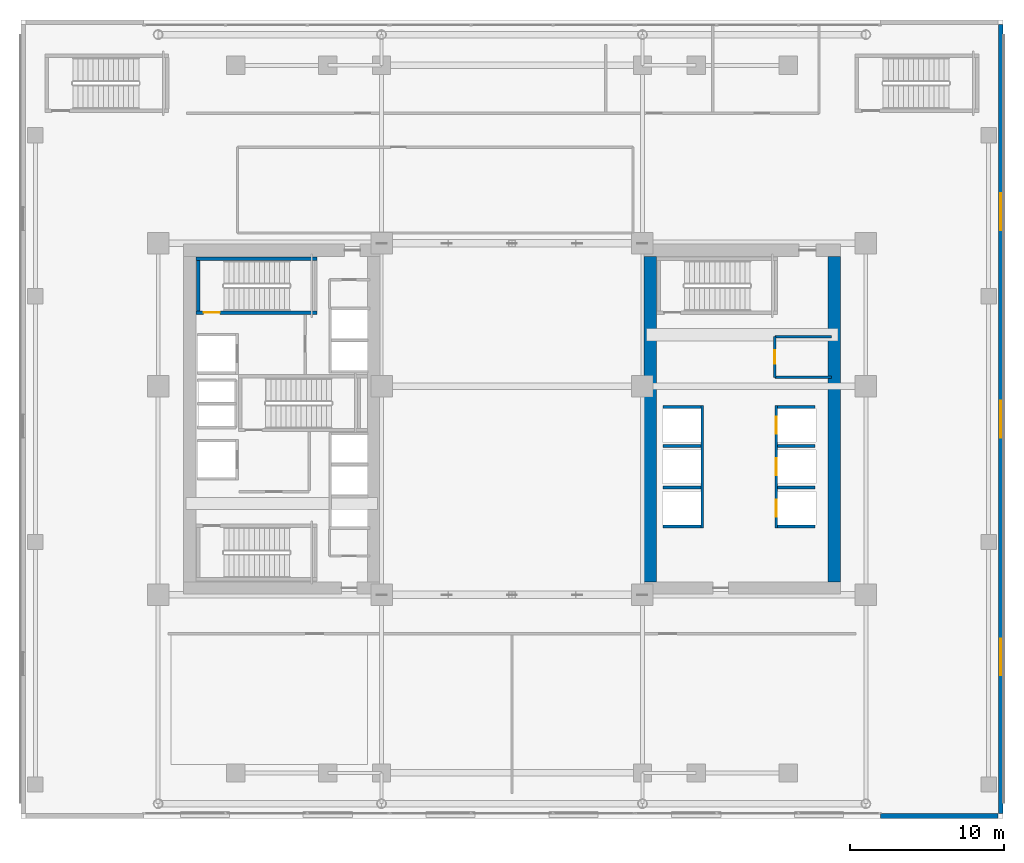
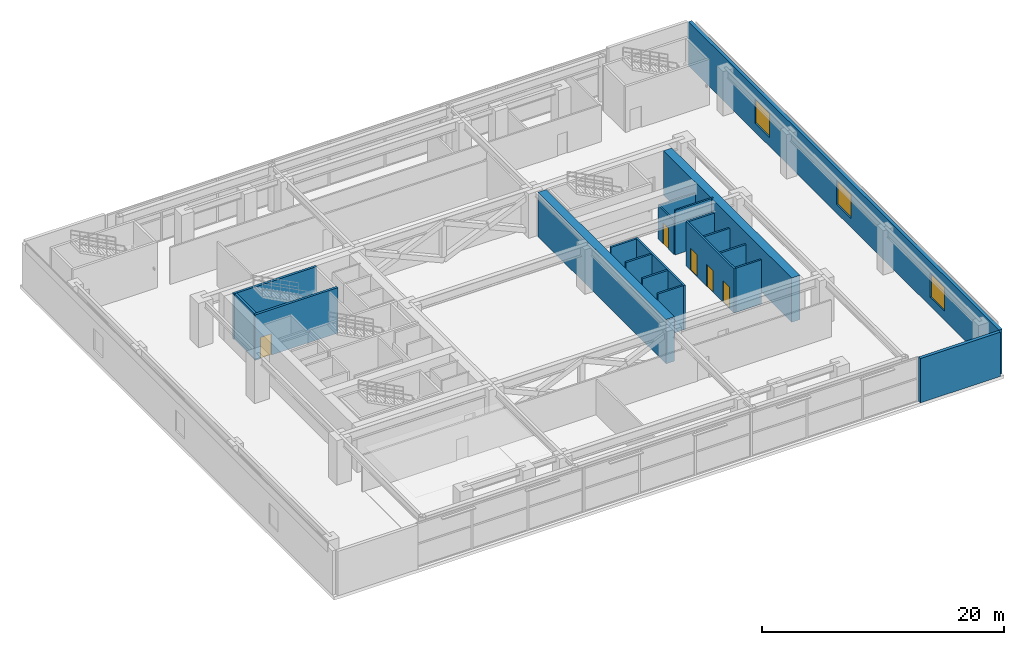
# One storey, part 20 of 28: 20 walls, 5 doors, 3 windows, 8 openings.
"""IFC4 building model written with IfcOpenShell, lengths in metres."""

from ifc_helpers import new_model, si_unit, direction, frame, frame_2d, origin, place, context, subcontext, project, spatial, rectangle, extrude, source, transform, mapped, material, layer, layer_set, type_object, element, fill, save


model = new_model("IFC4")

# Units and contexts
model_context = context("Model", 3, precision=1e-05, world=origin(), true_north=direction((0.0, 1.0)))
body_context = subcontext(model_context, "Body", "Model", "MODEL_VIEW")
ifc_project = project(units=[si_unit("LENGTHUNIT", "METRE"), si_unit("AREAUNIT", "SQUARE_METRE"), si_unit("VOLUMEUNIT", "CUBIC_METRE"), si_unit("PLANEANGLEUNIT", "RADIAN"), si_unit("MASSUNIT", "GRAM", prefix="KILO")], contexts=[model_context])

# Site, building, storey
site_placement = place(None, origin())
site = spatial("IfcSite", under=ifc_project, at=site_placement, CompositionType="ELEMENT")
building_placement = place(site_placement, origin())
building = spatial("IfcBuilding", under=site, at=building_placement, Name="Ocotamira Hotel", CompositionType="ELEMENT")
storey_placement = place(building_placement, frame((0.0, 0.0, 24.0)))
storey = spatial("IfcBuildingStorey", under=building, at=storey_placement, Name="L05", CompositionType="ELEMENT", Elevation=24.0)

# Walls
ifc_material_1 = material(Name="Concrete C60/75", Category="concrete")
ifc_layer_1 = layer(ifc_material_1, 0.800048828125)
ifc_layer_set_1 = layer_set([ifc_layer_1], Name="Concrete C60/75")
wall_type_1 = type_object("IfcWallType", Name="WL-CORE-800", PredefinedType="SHEAR", material=ifc_layer_set_1)
for number, where, z_axis, x_axis, name in (
    (1, (41.0, 15.39990234375, 0.0), (0.0, 0.0, 1.0), (0.0, 1.0, 0.0), "L05 Shear Core Wall ECORE-W"),
    (2, (53.0, 15.39990234375, 0.0), (0.0, 0.0, 1.0), (0.0, 1.0, 0.0), "L05 Shear Core Wall ECORE-E"),
):
    element("IfcWall", number, at=place(storey_placement, frame(where, z_axis=z_axis, x_axis=x_axis)), inside=storey, type_object=wall_type_1, Name=name, PredefinedType="SHEAR", context=body_context, shape_type="SweptSolid", body=[
        extrude(rectangle(XDim=21.2001953125, YDim=0.800048828125, at=frame_2d((10.60009765625, 0.0))), origin(), (0.0, 0.0, 1.0), 4.47998046875),
    ])

# Wall, openings, windows
ifc_material_2 = material(Name="Travertine-clad precast concrete C45/55", Category="masonry")
ifc_layer_2 = layer(ifc_material_2, 0.300048828125)
ifc_layer_set_2 = layer_set([ifc_layer_2], Name="Travertine-clad precast concrete C45/55")
wall_type_2 = type_object("IfcWallType", Name="WL-EXT-POD-300", PredefinedType="SOLIDWALL", material=ifc_layer_set_2)
wall_1_placement = place(storey_placement, frame((63.85009765625, 51.699951171875, 0.0), z_axis=(0.0, 0.0, 1.0), x_axis=(0.0, -1.0, 0.0)))
wall_1 = element("IfcWall", 3, at=wall_1_placement, inside=storey, type_object=wall_type_2, Name="L05 East Podium Travertine Wall", PredefinedType="SOLIDWALL", context=body_context, shape_type="SweptSolid", body=[
    extrude(rectangle(XDim=51.39990234375, YDim=0.300048828125, at=frame_2d((25.699951171875, 0.0))), origin(), (0.0, 0.0, 1.0), 4.47998046875),
])
opening_1_placement = place(wall_1_placement, frame((40.0, 0.0, 0.89990234375)))
opening_1 = element("IfcOpeningElement", 4, at=opening_1_placement, cuts=wall_1, Name="Opening WN-1", PredefinedType="OPENING", context=body_context, shape_type="SweptSolid", body=[
    extrude(rectangle(XDim=2.39990234375, YDim=2.39990234375, at=frame_2d((1.199951171875, 1.199951171875))), frame((0.0, 0.16015625, 0.0), z_axis=(0.0, -1.0, 0.0), x_axis=(1.0, 0.0, 0.0)), (0.0, 0.0, 1.0), 0.320068359375),
])
opening_2_placement = place(wall_1_placement, frame((24.5, 0.0, 0.89990234375)))
opening_2 = element("IfcOpeningElement", 5, at=opening_2_placement, cuts=wall_1, Name="Opening WN-1", PredefinedType="OPENING", context=body_context, shape_type="SweptSolid", body=[
    extrude(rectangle(XDim=2.39990234375, YDim=2.39990234375, at=frame_2d((1.199951171875, 1.199951171875))), frame((0.0, 0.16015625, 0.0), z_axis=(0.0, -1.0, 0.0), x_axis=(1.0, 0.0, 0.0)), (0.0, 0.0, 1.0), 0.320068359375),
])
opening_3_placement = place(wall_1_placement, frame((11.0, 0.0, 0.89990234375)))
opening_3 = element("IfcOpeningElement", 6, at=opening_3_placement, cuts=wall_1, Name="Opening WN-1", PredefinedType="OPENING", context=body_context, shape_type="SweptSolid", body=[
    extrude(rectangle(XDim=2.39990234375, YDim=2.39990234375, at=frame_2d((1.199951171875, 1.199951171875))), frame((0.0, 0.16015625, 0.0), z_axis=(0.0, -1.0, 0.0), x_axis=(1.0, 0.0, 0.0)), (0.0, 0.0, 1.0), 0.320068359375),
])
ifc_material_3 = material(Name="Double-silver low-E solar glass", Category="glass")
window_type = type_object("IfcWindowType", Name="WIN-POD-2400", PartitioningType="SINGLE_PANEL", PredefinedType="WINDOW", material=ifc_material_3)
shared_shape_1 = source(origin(), body_context, "Body", "SweptSolid", [
    extrude(rectangle(XDim=2.39990234375, YDim=2.39990234375, at=frame_2d((1.199951171875, 1.199951171875))), frame((0.0, 0.030029296875, 0.0), z_axis=(0.0, -1.0, 0.0), x_axis=(1.0, 0.0, 0.0)), (0.0, 0.0, 1.0), 0.06005859375),
])
window_1_placement = place(opening_1_placement, origin())
window_1 = element("IfcWindow", 7, at=window_1_placement, inside=storey, type_object=window_type, Name="L05 East Podium Window 1", OverallHeight=2.39990234375, OverallWidth=2.39990234375, PartitioningType="SINGLE_PANEL", PredefinedType="WINDOW", context=body_context, shape_type="MappedRepresentation", body=[
    mapped(shared_shape_1, transform((0.0, 0.0, 0.0), scale=1.0)),
])
fill(opening_1, window_1)
window_2_placement = place(opening_2_placement, origin())
window_2 = element("IfcWindow", 8, at=window_2_placement, inside=storey, type_object=window_type, Name="L05 East Podium Window 2", OverallHeight=2.39990234375, OverallWidth=2.39990234375, PartitioningType="SINGLE_PANEL", PredefinedType="WINDOW", context=body_context, shape_type="MappedRepresentation", body=[
    mapped(shared_shape_1, transform((0.0, 0.0, 0.0), scale=1.0)),
])
fill(opening_2, window_2)
window_3_placement = place(opening_3_placement, origin())
window_3 = element("IfcWindow", 9, at=window_3_placement, inside=storey, type_object=window_type, Name="L05 East Podium Window 3", OverallHeight=2.39990234375, OverallWidth=2.39990234375, PartitioningType="SINGLE_PANEL", PredefinedType="WINDOW", context=body_context, shape_type="MappedRepresentation", body=[
    mapped(shared_shape_1, transform((0.0, 0.0, 0.0), scale=1.0)),
])
fill(opening_3, window_3)

# Walls
wall_2_placement = place(storey_placement, frame((56.0, 0.14990234375, 0.0), z_axis=(0.0, 0.0, 1.0), x_axis=(1.0, 0.0, 0.0)))
element("IfcWall", 10, at=wall_2_placement, inside=storey, type_object=wall_type_2, Name="L05 Podium Perimeter Wall S2", PredefinedType="SOLIDWALL", context=body_context, shape_type="SweptSolid", body=[
    extrude(rectangle(XDim=7.64990234375, YDim=0.300048828125, at=frame_2d((3.824951171875, 0.0))), origin(), (0.0, 0.0, 1.0), 4.47998046875),
])
ifc_material_4 = material(Name="Acoustic double-layer fire gypsum board partition", Category="gypsum")
ifc_layer_3 = layer(ifc_material_4, 0.159912109375)
ifc_layer_set_3 = layer_set([ifc_layer_3], Name="Acoustic double-layer fire gypsum board partition")
wall_type_3 = type_object("IfcWallType", Name="WL-FIRE-160", PredefinedType="PARTITIONING", material=ifc_layer_set_3)
wall_3_placement = place(storey_placement, frame((49.1201171875, 28.719970703125, 0.0), z_axis=(0.0, 0.0, 1.0), x_axis=(1.0, 0.0, 0.0)))
element("IfcWall", 11, at=wall_3_placement, inside=storey, type_object=wall_type_3, Name="L05 Interior Wall PW-L05-EC-NEC-S", PredefinedType="PARTITIONING", context=body_context, shape_type="SweptSolid", body=[
    extrude(rectangle(XDim=3.679931640625, YDim=0.159912109375, at=frame_2d((1.83984375, 0.0))), origin(), (0.0, 0.0, 1.0), 4.47998046875),
])
wall_4_placement = place(storey_placement, frame((49.1201171875, 31.3798828125, 0.0), z_axis=(0.0, 0.0, 1.0), x_axis=(1.0, 0.0, 0.0)))
element("IfcWall", 12, at=wall_4_placement, inside=storey, type_object=wall_type_3, Name="L05 Interior Wall PW-L05-EC-NEC-N", PredefinedType="PARTITIONING", context=body_context, shape_type="SweptSolid", body=[
    extrude(rectangle(XDim=3.679931640625, YDim=0.159912109375, at=frame_2d((1.83984375, 0.0))), origin(), (0.0, 0.0, 1.0), 3.3798828125),
])

# Wall, opening, door
wall_5_placement = place(storey_placement, frame((49.1201171875, 28.719970703125, 0.0), z_axis=(0.0, 0.0, 1.0), x_axis=(0.0, 1.0, 0.0)))
wall_5 = element("IfcWall", 13, at=wall_5_placement, inside=storey, type_object=wall_type_3, Name="L05 Interior Wall PW-L05-EC-NEC-W", PredefinedType="PARTITIONING", context=body_context, shape_type="SweptSolid", body=[
    extrude(rectangle(XDim=2.659912109375, YDim=0.159912109375, at=frame_2d((1.330078125, 0.0))), origin(), (0.0, 0.0, 1.0), 3.3798828125),
])
opening_4_placement = place(wall_5_placement, frame((0.89990234375, 0.0, 0.0)))
opening_4 = element("IfcOpeningElement", 14, at=opening_4_placement, cuts=wall_5, Name="Opening D-SV2", PredefinedType="OPENING", context=body_context, shape_type="SweptSolid", body=[
    extrude(rectangle(XDim=0.8798828125, YDim=2.14990234375, at=frame_2d((0.43994140625, 1.074951171875))), frame((0.0, 0.08984375, 0.0), z_axis=(0.0, -1.0, 0.0), x_axis=(1.0, 0.0, 0.0)), (0.0, 0.0, 1.0), 0.179931640625),
])
ifc_material_5 = material(Name="Fire-rated painted steel service door", Category="steel")
door_type_1 = type_object("IfcDoorType", Name="DR-SERV-880", OperationType="NOTDEFINED", PredefinedType="DOOR", material=ifc_material_5)
shared_shape_2 = source(origin(), body_context, "Body", "SweptSolid", [
    extrude(rectangle(XDim=0.8798828125, YDim=2.14990234375, at=frame_2d((0.43994140625, 1.074951171875))), frame((0.0, 0.02490234375, 0.0), z_axis=(0.0, -1.0, 0.0), x_axis=(1.0, 0.0, 0.0)), (0.0, 0.0, 1.0), 0.050048828125),
])
door_1_placement = place(opening_4_placement, origin())
door_1 = element("IfcDoor", 15, at=door_1_placement, inside=storey, type_object=door_type_1, Name="L05 Door ID-L05-EC-NEC-D [ID-L05-EC-NEC-D]", OperationType="SINGLE_SWING_LEFT", OverallHeight=2.14990234375, OverallWidth=0.8798828125, PredefinedType="DOOR", context=body_context, shape_type="MappedRepresentation", body=[
    mapped(shared_shape_2, transform((0.0, 0.0, 0.0), scale=1.0)),
])
fill(opening_4, door_1)

# Wall, openings, doors
ifc_material_6 = material(Name="Fire-rated gypsum shaftliner board assembly", Category="gypsum")
ifc_layer_4 = layer(ifc_material_6, 0.179931640625)
ifc_layer_set_4 = layer_set([ifc_layer_4], Name="Fire-rated gypsum shaftliner board assembly")
wall_type_4 = type_object("IfcWallType", Name="WL-SHAFT-180", PredefinedType="SOLIDWALL", material=ifc_layer_set_4)
wall_6_placement = place(storey_placement, frame((49.2099609375, 18.919921875, 0.0), z_axis=(0.0, 0.0, 1.0), x_axis=(0.0, 1.0, 0.0)))
wall_6 = element("IfcWall", 16, at=wall_6_placement, inside=storey, type_object=wall_type_4, Name="L05 Interior Wall PW-L05-LFW-BANK-low-F", PredefinedType="SOLIDWALL", context=body_context, shape_type="SweptSolid", body=[
    extrude(rectangle(XDim=7.9599609375, YDim=0.179931640625, at=frame_2d((3.97998046875, 0.0))), origin(), (0.0, 0.0, 1.0), 4.47998046875),
])
opening_5_placement = place(wall_6_placement, frame((0.72998046875, 0.0, 0.0)))
opening_5 = element("IfcOpeningElement", 17, at=opening_5_placement, cuts=wall_6, Name="Opening LD-LF-P1", PredefinedType="OPENING", context=body_context, shape_type="SweptSolid", body=[
    extrude(rectangle(XDim=1.10009765625, YDim=2.199951171875, at=frame_2d((0.550048828125, 1.10009765625))), frame((0.0, 0.10009765625, 0.0), z_axis=(0.0, -1.0, 0.0), x_axis=(1.0, 0.0, 0.0)), (0.0, 0.0, 1.0), 0.199951171875),
])
opening_6_placement = place(wall_6_placement, frame((3.429931640625, 0.0, 0.0)))
opening_6 = element("IfcOpeningElement", 18, at=opening_6_placement, cuts=wall_6, Name="Opening LD-LF-P2", PredefinedType="OPENING", context=body_context, shape_type="SweptSolid", body=[
    extrude(rectangle(XDim=1.10009765625, YDim=2.199951171875, at=frame_2d((0.550048828125, 1.10009765625))), frame((0.0, 0.10009765625, 0.0), z_axis=(0.0, -1.0, 0.0), x_axis=(1.0, 0.0, 0.0)), (0.0, 0.0, 1.0), 0.199951171875),
])
opening_7_placement = place(wall_6_placement, frame((6.1298828125, 0.0, 0.0)))
opening_7 = element("IfcOpeningElement", 19, at=opening_7_placement, cuts=wall_6, Name="Opening LD-LF-P3", PredefinedType="OPENING", context=body_context, shape_type="SweptSolid", body=[
    extrude(rectangle(XDim=1.10009765625, YDim=2.199951171875, at=frame_2d((0.550048828125, 1.10009765625))), frame((0.0, 0.10009765625, 0.0), z_axis=(0.0, -1.0, 0.0), x_axis=(1.0, 0.0, 0.0)), (0.0, 0.0, 1.0), 0.199951171875),
])
ifc_material_7 = material(Name="Brushed pale-metal stainless elevator landing door", Category="steel")
door_type_2 = type_object("IfcDoorType", Name="DR-LIFT-1100", OperationType="NOTDEFINED", PredefinedType="DOOR", material=ifc_material_7)
shared_shape_3 = source(origin(), body_context, "Body", "SweptSolid", [
    extrude(rectangle(XDim=1.10009765625, YDim=2.199951171875, at=frame_2d((0.550048828125, 1.10009765625))), frame((0.0, 0.02490234375, 0.0), z_axis=(0.0, -1.0, 0.0), x_axis=(1.0, 0.0, 0.0)), (0.0, 0.0, 1.0), 0.050048828125),
])
door_2_placement = place(opening_5_placement, origin())
door_2 = element("IfcDoor", 20, at=door_2_placement, inside=storey, type_object=door_type_2, Name="L05 Landing Door LD-LF-P1 [ID-L05-LD-LF-P1]", OperationType="DOUBLE_DOOR_SLIDING", OverallHeight=2.199951171875, OverallWidth=1.10009765625, PredefinedType="DOOR", context=body_context, shape_type="MappedRepresentation", body=[
    mapped(shared_shape_3, transform((0.0, 0.0, 0.0), scale=1.0)),
])
fill(opening_5, door_2)
door_3_placement = place(opening_6_placement, origin())
door_3 = element("IfcDoor", 21, at=door_3_placement, inside=storey, type_object=door_type_2, Name="L05 Landing Door LD-LF-P2 [ID-L05-LD-LF-P2]", OperationType="DOUBLE_DOOR_SLIDING", OverallHeight=2.199951171875, OverallWidth=1.10009765625, PredefinedType="DOOR", context=body_context, shape_type="MappedRepresentation", body=[
    mapped(shared_shape_3, transform((0.0, 0.0, 0.0), scale=1.0)),
])
fill(opening_6, door_3)
door_4_placement = place(opening_7_placement, origin())
door_4 = element("IfcDoor", 22, at=door_4_placement, inside=storey, type_object=door_type_2, Name="L05 Landing Door LD-LF-P3 [ID-L05-LD-LF-P3]", OperationType="DOUBLE_DOOR_SLIDING", OverallHeight=2.199951171875, OverallWidth=1.10009765625, PredefinedType="DOOR", context=body_context, shape_type="MappedRepresentation", body=[
    mapped(shared_shape_3, transform((0.0, 0.0, 0.0), scale=1.0)),
])
fill(opening_7, door_4)

# Walls
for number, where, z_axis, x_axis, name in (
    (23, (49.300048828125, 19.010009765625, 0.0), (0.0, 0.0, 1.0), (1.0, 0.0, 0.0), "L05 Interior Wall PW-L05-LFW-BANK-low-S"),
    (24, (49.300048828125, 26.7900390625, 0.0), (0.0, 0.0, 1.0), (1.0, 0.0, 0.0), "L05 Interior Wall PW-L05-LFW-BANK-low-N"),
    (25, (49.300048828125, 21.550048828125, 0.0), (0.0, 0.0, 1.0), (1.0, 0.0, 0.0), "L05 Interior Wall PW-L05-LFW-DIV-LF-P1"),
    (26, (49.300048828125, 24.25, 0.0), (0.0, 0.0, 1.0), (1.0, 0.0, 0.0), "L05 Interior Wall PW-L05-LFW-DIV-LF-P2"),
):
    element("IfcWall", number, at=place(storey_placement, frame(where, z_axis=z_axis, x_axis=x_axis)), inside=storey, type_object=wall_type_4, Name=name, PredefinedType="SOLIDWALL", context=body_context, shape_type="SweptSolid", body=[
        extrude(rectangle(XDim=2.449951171875, YDim=0.179931640625, at=frame_2d((1.22509765625, 0.0))), origin(), (0.0, 0.0, 1.0), 4.47998046875),
    ])
wall_7_placement = place(storey_placement, frame((44.389892578125, 18.919921875, 0.0), z_axis=(0.0, 0.0, 1.0), x_axis=(0.0, 1.0, 0.0)))
element("IfcWall", 27, at=wall_7_placement, inside=storey, type_object=wall_type_4, Name="L05 Interior Wall PW-L05-LFW-BANK-mid-F", PredefinedType="SOLIDWALL", context=body_context, shape_type="SweptSolid", body=[
    extrude(rectangle(XDim=7.9599609375, YDim=0.179931640625, at=frame_2d((3.97998046875, 0.0))), origin(), (0.0, 0.0, 1.0), 4.47998046875),
])
for number, where, z_axis, x_axis, name in (
    (28, (41.85009765625, 19.010009765625, 0.0), (0.0, 0.0, 1.0), (1.0, 0.0, 0.0), "L05 Interior Wall PW-L05-LFW-BANK-mid-S"),
    (29, (41.85009765625, 26.7900390625, 0.0), (0.0, 0.0, 1.0), (1.0, 0.0, 0.0), "L05 Interior Wall PW-L05-LFW-BANK-mid-N"),
    (30, (41.85009765625, 21.550048828125, 0.0), (0.0, 0.0, 1.0), (1.0, 0.0, 0.0), "L05 Interior Wall PW-L05-LFW-DIV-LF-P4"),
    (31, (41.85009765625, 24.25, 0.0), (0.0, 0.0, 1.0), (1.0, 0.0, 0.0), "L05 Interior Wall PW-L05-LFW-DIV-LF-P5"),
):
    element("IfcWall", number, at=place(storey_placement, frame(where, z_axis=z_axis, x_axis=x_axis)), inside=storey, type_object=wall_type_4, Name=name, PredefinedType="SOLIDWALL", context=body_context, shape_type="SweptSolid", body=[
        extrude(rectangle(XDim=2.449951171875, YDim=0.179931640625, at=frame_2d((1.22509765625, 0.0))), origin(), (0.0, 0.0, 1.0), 4.47998046875),
    ])

# Wall, opening, door
ifc_material_8 = material(Name="Concrete C50/60", Category="concrete")
ifc_layer_5 = layer(ifc_material_8, 0.219970703125)
ifc_layer_set_5 = layer_set([ifc_layer_5], Name="Concrete C50/60")
wall_type_5 = type_object("IfcWallType", Name="WL-STAIR-220", PredefinedType="SHEAR", material=ifc_layer_set_5)
wall_8_placement = place(storey_placement, frame((11.39990234375, 32.93994140625, 0.0), z_axis=(0.0, 0.0, 1.0), x_axis=(1.0, 0.0, 0.0)))
wall_8 = element("IfcWall", 32, at=wall_8_placement, inside=storey, type_object=wall_type_5, Name="L05 Stair Shaft Structural Wall ST-2-S", PredefinedType="SHEAR", context=body_context, shape_type="SweptSolid", body=[
    extrude(rectangle(XDim=7.91015625, YDim=0.219970703125, at=frame_2d((3.955078125, 0.0))), origin(), (0.0, 0.0, 1.0), 4.60009765625),
])
opening_8_placement = place(wall_8_placement, frame((0.52001953125, 0.0, 0.0)))
opening_8 = element("IfcOpeningElement", 33, at=opening_8_placement, cuts=wall_8, Name="Opening D-ST2", PredefinedType="OPENING", context=body_context, shape_type="SweptSolid", body=[
    extrude(rectangle(XDim=1.050048828125, YDim=2.14990234375, at=frame_2d((0.52490234375, 1.074951171875))), frame((0.0, 0.1201171875, 0.0), z_axis=(0.0, -1.0, 0.0), x_axis=(1.0, 0.0, 0.0)), (0.0, 0.0, 1.0), 0.239990234375),
])
ifc_material_9 = material(Name="Insulated painted hollow-metal fire exit door", Category="steel")
door_type_3 = type_object("IfcDoorType", Name="DR-STAIR-1050", OperationType="NOTDEFINED", PredefinedType="DOOR", material=ifc_material_9)
shared_shape_4 = source(origin(), body_context, "Body", "SweptSolid", [
    extrude(rectangle(XDim=1.050048828125, YDim=2.14990234375, at=frame_2d((0.52490234375, 1.074951171875))), frame((0.0, 0.02490234375, 0.0), z_axis=(0.0, -1.0, 0.0), x_axis=(1.0, 0.0, 0.0)), (0.0, 0.0, 1.0), 0.050048828125),
])
door_5_placement = place(opening_8_placement, origin())
door_5 = element("IfcDoor", 34, at=door_5_placement, inside=storey, type_object=door_type_3, Name="L05 Door ID-L05-STD-ST-2 [ID-L05-STD-ST-2]", OperationType="SINGLE_SWING_LEFT", OverallHeight=2.14990234375, OverallWidth=1.050048828125, PredefinedType="DOOR", context=body_context, shape_type="MappedRepresentation", body=[
    mapped(shared_shape_4, transform((0.0, 0.0, 0.0), scale=1.0)),
])
fill(opening_8, door_5)

# Walls
wall_9_placement = place(storey_placement, frame((11.39990234375, 36.43994140625, 0.0), z_axis=(0.0, 0.0, 1.0), x_axis=(1.0, 0.0, 0.0)))
element("IfcWall", 35, at=wall_9_placement, inside=storey, type_object=wall_type_5, Name="L05 Stair Shaft Structural Wall ST-2-N", PredefinedType="SHEAR", context=body_context, shape_type="SweptSolid", body=[
    extrude(rectangle(XDim=7.91015625, YDim=0.219970703125, at=frame_2d((3.955078125, 0.0))), origin(), (0.0, 0.0, 1.0), 4.60009765625),
])
wall_10_placement = place(storey_placement, frame((11.56005859375, 33.050048828125, 0.0), z_axis=(0.0, 0.0, 1.0), x_axis=(0.0, 1.0, 0.0)))
element("IfcWall", 36, at=wall_10_placement, inside=storey, type_object=wall_type_5, Name="L05 Stair Shaft Structural Wall ST-2-W", PredefinedType="SHEAR", context=body_context, shape_type="SweptSolid", body=[
    extrude(rectangle(XDim=3.280029296875, YDim=0.219970703125, at=frame_2d((1.64013671875, 0.0))), origin(), (0.0, 0.0, 1.0), 4.60009765625),
])

save(model, "model.ifc")
